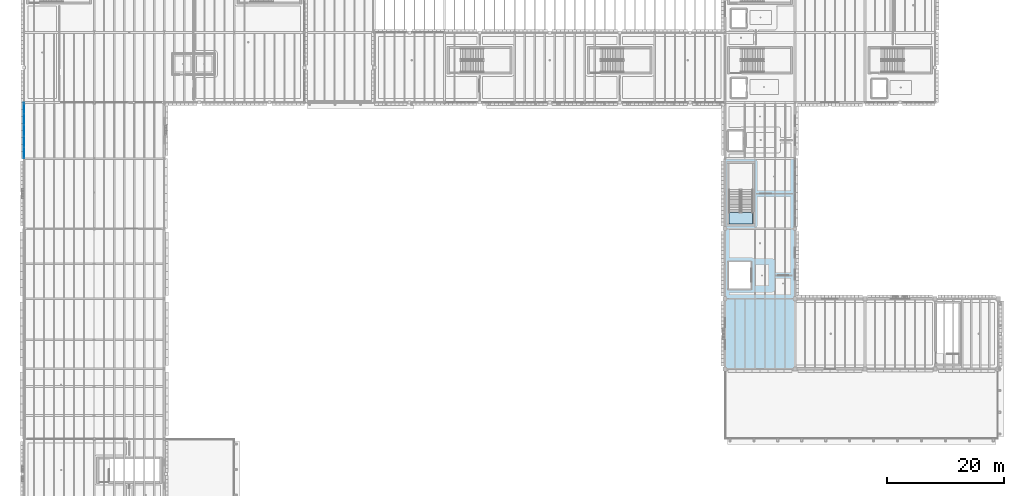
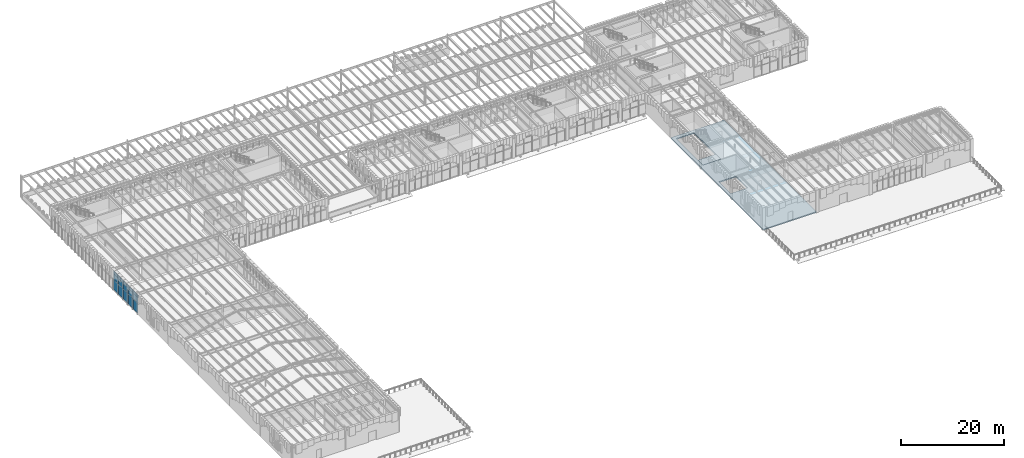
# One storey, part 45 of 100: 15 plates, 2 slabs, 1 element without a shape of its own.
"""IFC4 building model written with IfcOpenShell, lengths in metres."""

import ifcopenshell
import ifcopenshell.guid

model = None  # the IFC model being written
_history = None  # IfcOwnerHistory: only IFC2X3 demands one
_inside = {}  # id of a spatial element -> (the spatial element, [elements in it])
_under = {}  # id of a project, library or spatial element -> (it, [spatial elements below it])
_declared = {}  # id of a project -> (the project, [libraries it declares])
_typed = {}  # id of a type object -> (the type object, [elements of that type])
_made_of = {}  # id of a material, layer set ... -> (it, [elements and type objects made of it])


def new_model(schema):
    """Start an empty IFC model of exactly this schema.

    Asked for "IFC4X3", IfcOpenShell would pick the latest addendum, in which some entities
    have other attributes; the version numbers below select the first issue.
    IFC2X3 requires an IfcOwnerHistory on every rooted entity: one is made here for all.
    """
    global model, _history
    if schema == "IFC4X3":
        model = ifcopenshell.file(schema_version=(4, 3, 0, 0))
    else:
        model = ifcopenshell.file(schema=schema)
    _inside.clear()
    _under.clear()
    _declared.clear()
    _typed.clear()
    _made_of.clear()
    _history = None
    if model.schema == "IFC2X3":
        org = make("IfcOrganization", Name="unknown")
        user = make(
            "IfcPersonAndOrganization",
            ThePerson=make("IfcPerson", FamilyName="unknown"),
            TheOrganization=org,
        )
        app = make(
            "IfcApplication",
            ApplicationDeveloper=org,
            Version="unknown",
            ApplicationFullName="unknown",
            ApplicationIdentifier="unknown",
        )
        _history = make(
            "IfcOwnerHistory",
            OwningUser=user,
            OwningApplication=app,
            ChangeAction="ADDED",
            CreationDate=0,
        )
    return model


def make(cls, **values):
    """One entity of the class cls with the attributes given. An attribute that is None is left unset."""
    return model.create_entity(
        cls, **{name: value for name, value in values.items() if value is not None}
    )


def rooted(cls, **values):
    """An entity with a GlobalId (a new one), such as an element, a storey or a relation."""
    return make(cls, GlobalId=ifcopenshell.guid.new(), OwnerHistory=_history, **values)


def si_unit(unit_type, name, prefix=None):
    """IfcSIUnit, for example si_unit("LENGTHUNIT", "METRE", prefix="MILLI")."""
    return make("IfcSIUnit", UnitType=unit_type, Prefix=prefix, Name=name)


def assignment(units):
    """IfcUnitAssignment: the units of a project."""
    return None if units is None else make("IfcUnitAssignment", Units=units)


def point(xyz):
    """IfcCartesianPoint."""
    return None if xyz is None else make("IfcCartesianPoint", Coordinates=xyz)


def direction(xyz):
    """IfcDirection."""
    return None if xyz is None else make("IfcDirection", DirectionRatios=xyz)


def frame(location, z_axis=None, x_axis=None):
    """IfcAxis2Placement3D, a coordinate frame: its origin and axes. An axis left out is left unset."""
    return make(
        "IfcAxis2Placement3D",
        Location=point(location),
        Axis=direction(z_axis),
        RefDirection=direction(x_axis),
    )


def frame_2d(location, x_axis=None):
    """IfcAxis2Placement2D, a coordinate frame in the plane: its origin and x axis."""
    return make(
        "IfcAxis2Placement2D", Location=point(location), RefDirection=direction(x_axis)
    )


def origin():
    """The frame at (0, 0, 0) with its axes left unset."""
    return frame((0.0, 0.0, 0.0))


def origin_2d():
    """The frame at (0, 0) in the plane with its x axis left unset."""
    return frame_2d((0.0, 0.0))


def place(relative_to, where):
    """IfcLocalPlacement: puts the frame where relative to a parent placement (None: the world)."""
    return make(
        "IfcLocalPlacement", PlacementRelTo=relative_to, RelativePlacement=where
    )


def context(
    kind, dimensions, precision=None, world=None, true_north=None, identifier=None
):
    """IfcGeometricRepresentationContext, for example the 3D "Model" context."""
    return make(
        "IfcGeometricRepresentationContext",
        ContextIdentifier=identifier,
        ContextType=kind,
        CoordinateSpaceDimension=dimensions,
        Precision=precision,
        WorldCoordinateSystem=world,
        TrueNorth=true_north,
    )


def subcontext(parent, identifier, kind, view, scale=None):
    """IfcGeometricRepresentationSubContext, for example "Body" below "Model"."""
    return make(
        "IfcGeometricRepresentationSubContext",
        ContextIdentifier=identifier,
        ContextType=kind,
        ParentContext=parent,
        TargetScale=scale,
        TargetView=view,
    )


def project(units=None, contexts=None):
    """IfcProject with its units and contexts."""
    return rooted(
        "IfcProject",
        Name="project",
        RepresentationContexts=contexts,
        UnitsInContext=assignment(units),
    )


def spatial(cls, under=None, at=None, **own):
    """A site, building, storey or space (cls), placed at a placement, below another one or the project."""
    s = rooted(cls, ObjectPlacement=at, **own)
    if under is not None:
        _under.setdefault(under.id(), (under, []))[1].append(s)
    return s


def polyline(points):
    """IfcPolyline through the points."""
    return make("IfcPolyline", Points=[point(p) for p in points])


def profile(cls, at=None, kind="AREA", **sizes):
    """A parametric profile (cls). Its sizes go by their IFC names, for example OverallWidth=200.0."""
    return make(cls, ProfileType=kind, Position=at, **sizes)


def rectangle(**sizes):
    """IfcRectangleProfileDef."""
    return profile("IfcRectangleProfileDef", **sizes)


def outline(outer, holes=None, kind="AREA"):
    """IfcArbitraryClosedProfileDef: a profile drawn as a closed curve; with holes, ...WithVoids."""
    if holes is None:
        return make("IfcArbitraryClosedProfileDef", ProfileType=kind, OuterCurve=outer)
    return make(
        "IfcArbitraryProfileDefWithVoids",
        ProfileType=kind,
        OuterCurve=outer,
        InnerCurves=holes,
    )


def extrude(swept, where, along, depth):
    """IfcExtrudedAreaSolid: the profile swept, set in the frame where, extruded along a direction by depth."""
    return make(
        "IfcExtrudedAreaSolid",
        SweptArea=swept,
        Position=where,
        ExtrudedDirection=direction(along),
        Depth=depth,
    )


def shape(context_of_items, identifier, shape_type, items):
    """IfcShapeRepresentation: the items that make up one representation, for example the "Body"."""
    return make(
        "IfcShapeRepresentation",
        ContextOfItems=context_of_items,
        RepresentationIdentifier=identifier,
        RepresentationType=shape_type,
        Items=items,
    )


def material(Name=None, Category=None):
    """IfcMaterial."""
    return make("IfcMaterial", Name=Name, Category=Category)


def layer(
    of_material, thickness, ventilated=None, Name=None, Category=None, Priority=None
):
    """IfcMaterialLayer: one layer of a wall or slab, of a material (None: an air gap)."""
    return make(
        "IfcMaterialLayer",
        Material=of_material,
        LayerThickness=thickness,
        IsVentilated=ventilated,
        Name=Name,
        Category=Category,
        Priority=Priority,
    )


def layer_set(layers, Name=None):
    """IfcMaterialLayerSet."""
    return make("IfcMaterialLayerSet", MaterialLayers=layers, LayerSetName=Name)


def made_of(thing, what):
    """Note that an element or type object is made of a material, layer set ...; save() writes the relation."""
    if what is not None:
        _made_of.setdefault(what.id(), (what, []))[1].append(thing)
    return thing


def type_object(cls, material=None, **own):
    """A type object (cls), such as IfcWallType, which elements share."""
    return made_of(rooted(cls, **own), material)


def element(
    cls,
    number,
    at=None,
    inside=None,
    cuts=None,
    type_object=None,
    material=None,
    context=None,
    identifier="Body",
    shape_type=None,
    held_by="IfcProductDefinitionShape",
    body=None,
    shapes=None,
    **own,
):
    """One element of the class cls, such as IfcWall. Its Tag is "e" and its number.

    at: its placement. inside: the storey or other place that contains it. cuts: it is an
    opening in that element (IfcRelVoidsElement). A single representation is given by context,
    identifier, shape_type and body (its items); several are given by shapes. held_by: the class
    of the entity that holds the representations. save() writes the other relations.
    """
    e = rooted(cls, Tag="e%d" % number, ObjectPlacement=at, **own)
    if body is not None:
        shapes = [shape(context, identifier, shape_type, body)]
    if shapes is not None:
        e.Representation = make(held_by, Representations=shapes)
    if inside is not None:
        _inside.setdefault(inside.id(), (inside, []))[1].append(e)
    if cuts is not None:
        rooted(
            "IfcRelVoidsElement", RelatingBuildingElement=cuts, RelatedOpeningElement=e
        )
    if type_object is not None:
        _typed.setdefault(type_object.id(), (type_object, []))[1].append(e)
    return made_of(e, material)


def aggregate(whole, parts):
    """IfcRelAggregates: a whole, such as a stair, and the parts it consists of."""
    return rooted("IfcRelAggregates", RelatingObject=whole, RelatedObjects=parts)


def save(model, path):
    """Write the relations noted so far, then the file.

    IfcRelAggregates (storeys below a building ...), IfcRelContainedInSpatialStructure (elements
    in a storey), IfcRelDefinesByType, IfcRelAssociatesMaterial and IfcRelDeclares: one each for
    every whole, place, type object, material and project.
    """
    for whole, parts in _under.values():
        aggregate(whole, parts)
    for where, things in _inside.values():
        rooted(
            "IfcRelContainedInSpatialStructure",
            RelatedElements=things,
            RelatingStructure=where,
        )
    for kind, things in _typed.values():
        rooted("IfcRelDefinesByType", RelatedObjects=things, RelatingType=kind)
    for what, things in _made_of.values():
        rooted("IfcRelAssociatesMaterial", RelatedObjects=things, RelatingMaterial=what)
    for by, libraries in _declared.values():
        rooted("IfcRelDeclares", RelatingContext=by, RelatedDefinitions=libraries)
    model.write(path)


model = new_model("IFC4")

# Units and contexts
model_context = context("Model", 3, precision=1e-05, world=origin(), true_north=direction((0.0, 1.0)))
body_context = subcontext(model_context, "Body", "Model", "MODEL_VIEW")
ifc_project = project(units=[si_unit("LENGTHUNIT", "METRE"), si_unit("AREAUNIT", "SQUARE_METRE"), si_unit("VOLUMEUNIT", "CUBIC_METRE"), si_unit("PLANEANGLEUNIT", "RADIAN"), si_unit("MASSUNIT", "GRAM", prefix="KILO")], contexts=[model_context])

# Site, building, storey
site_placement = place(None, origin())
site = spatial("IfcSite", under=ifc_project, at=site_placement, CompositionType="ELEMENT")
building_placement = place(site_placement, origin())
building = spatial("IfcBuilding", under=site, at=building_placement, Name="Zlatogorsky Bluff Art Gallery", CompositionType="ELEMENT")
storey_placement = place(building_placement, frame((0.0, 0.0, 5.39990234375)))
storey = spatial("IfcBuildingStorey", under=building, at=storey_placement, Name="L01", CompositionType="ELEMENT", Elevation=5.39990234375)

# Curtain wall, plates
ifc_material_1 = material(Name="Anodised Bronze Aluminium and Low-Iron Triple Glazing", Category="aluminium")
ifc_layer_1 = layer(ifc_material_1, 0.219970703125)
ifc_layer_set_1 = layer_set([ifc_layer_1], Name="Curtain Wall CW-04")
curtain_wall_type = type_object("IfcCurtainWallType", Name="Curtain Wall CW-04", PredefinedType="USERDEFINED", material=ifc_layer_set_1)
curtain_wall_placement = place(storey_placement, origin())
curtain_wall = element("IfcCurtainWall", 1, at=curtain_wall_placement, inside=storey, type_object=curtain_wall_type, Name="Unitised curtain wall CW-04 L01 W 0.7", ObjectType="CURTAIN WALL", PredefinedType="USERDEFINED")
ifc_material_2 = material(Name="Low-Iron Laminated Triple Glazing", Category="glass")
ifc_layer_2 = layer(ifc_material_2, 0.035888671875)
ifc_layer_set_2 = layer_set([ifc_layer_2], Name="Glazed Curtain Panel CWP-01")
plate_type = type_object("IfcPlateType", Name="Glazed Curtain Panel CWP-01", PredefinedType="CURTAIN_PANEL", material=ifc_layer_set_2)
plate_1_placement = place(storey_placement, frame((0.0, 83.023681640625, 0.065185546875), z_axis=(0.0, 0.0, 1.0), x_axis=(0.0, -1.0, 0.0)))
plate_1 = element("IfcPlate", 2, at=plate_1_placement, type_object=plate_type, Name="CW-04 panel 1.1", PredefinedType="CURTAIN_PANEL", context=body_context, shape_type="SweptSolid", body=[
    extrude(rectangle(XDim=1.822509765625, YDim=0.035888671875, at=origin_2d()), origin(), (0.0, 0.0, 1.0), 2.3525390625),
])
plate_2_placement = place(storey_placement, frame((0.0, 83.023681640625, 2.482666015625), z_axis=(0.0, 0.0, 1.0), x_axis=(0.0, -1.0, 0.0)))
plate_2 = element("IfcPlate", 3, at=plate_2_placement, type_object=plate_type, Name="CW-04 panel 1.2", PredefinedType="CURTAIN_PANEL", context=body_context, shape_type="SweptSolid", body=[
    extrude(rectangle(XDim=1.822509765625, YDim=0.035888671875, at=origin_2d()), origin(), (0.0, 0.0, 1.0), 1.3349609375),
])
plate_3_placement = place(storey_placement, frame((0.0, 83.023681640625, 3.882568359375), z_axis=(0.0, 0.0, 1.0), x_axis=(0.0, -1.0, 0.0)))
plate_3 = element("IfcPlate", 4, at=plate_3_placement, type_object=plate_type, Name="CW-04 panel 1.3", PredefinedType="CURTAIN_PANEL", context=body_context, shape_type="SweptSolid", body=[
    extrude(rectangle(XDim=1.822509765625, YDim=0.035888671875, at=origin_2d()), origin(), (0.0, 0.0, 1.0), 0.58251953125),
])
plate_4_placement = place(storey_placement, frame((0.0, 81.1201171875, 0.065185546875), z_axis=(0.0, 0.0, 1.0), x_axis=(0.0, -1.0, 0.0)))
plate_4 = element("IfcPlate", 5, at=plate_4_placement, type_object=plate_type, Name="CW-04 panel 2.1", PredefinedType="CURTAIN_PANEL", context=body_context, shape_type="SweptSolid", body=[
    extrude(rectangle(XDim=1.85498046875, YDim=0.035888671875, at=origin_2d()), origin(), (0.0, 0.0, 1.0), 2.3525390625),
])
plate_5_placement = place(storey_placement, frame((0.0, 81.1201171875, 2.482666015625), z_axis=(0.0, 0.0, 1.0), x_axis=(0.0, -1.0, 0.0)))
plate_5 = element("IfcPlate", 6, at=plate_5_placement, type_object=plate_type, Name="CW-04 panel 2.2", PredefinedType="CURTAIN_PANEL", context=body_context, shape_type="SweptSolid", body=[
    extrude(rectangle(XDim=1.85498046875, YDim=0.035888671875, at=origin_2d()), origin(), (0.0, 0.0, 1.0), 1.3349609375),
])
plate_6_placement = place(storey_placement, frame((0.0, 81.1201171875, 3.882568359375), z_axis=(0.0, 0.0, 1.0), x_axis=(0.0, -1.0, 0.0)))
plate_6 = element("IfcPlate", 7, at=plate_6_placement, type_object=plate_type, Name="CW-04 panel 2.3", PredefinedType="CURTAIN_PANEL", context=body_context, shape_type="SweptSolid", body=[
    extrude(rectangle(XDim=1.85498046875, YDim=0.035888671875, at=origin_2d()), origin(), (0.0, 0.0, 1.0), 0.58251953125),
])
plate_7_placement = place(storey_placement, frame((0.0, 79.199951171875, 0.065185546875), z_axis=(0.0, 0.0, 1.0), x_axis=(0.0, -1.0, 0.0)))
plate_7 = element("IfcPlate", 8, at=plate_7_placement, type_object=plate_type, Name="CW-04 panel 3.1", PredefinedType="CURTAIN_PANEL", context=body_context, shape_type="SweptSolid", body=[
    extrude(rectangle(XDim=1.85498046875, YDim=0.035888671875, at=origin_2d()), origin(), (0.0, 0.0, 1.0), 2.3525390625),
])
plate_8_placement = place(storey_placement, frame((0.0, 79.199951171875, 2.482666015625), z_axis=(0.0, 0.0, 1.0), x_axis=(0.0, -1.0, 0.0)))
plate_8 = element("IfcPlate", 9, at=plate_8_placement, type_object=plate_type, Name="CW-04 panel 3.2", PredefinedType="CURTAIN_PANEL", context=body_context, shape_type="SweptSolid", body=[
    extrude(rectangle(XDim=1.85498046875, YDim=0.035888671875, at=origin_2d()), origin(), (0.0, 0.0, 1.0), 1.3349609375),
])
plate_9_placement = place(storey_placement, frame((0.0, 79.199951171875, 3.882568359375), z_axis=(0.0, 0.0, 1.0), x_axis=(0.0, -1.0, 0.0)))
plate_9 = element("IfcPlate", 10, at=plate_9_placement, type_object=plate_type, Name="CW-04 panel 3.3", PredefinedType="CURTAIN_PANEL", context=body_context, shape_type="SweptSolid", body=[
    extrude(rectangle(XDim=1.85498046875, YDim=0.035888671875, at=origin_2d()), origin(), (0.0, 0.0, 1.0), 0.58251953125),
])
plate_10_placement = place(storey_placement, frame((0.0, 77.280029296875, 0.065185546875), z_axis=(0.0, 0.0, 1.0), x_axis=(0.0, -1.0, 0.0)))
plate_10 = element("IfcPlate", 11, at=plate_10_placement, type_object=plate_type, Name="CW-04 panel 4.1", PredefinedType="CURTAIN_PANEL", context=body_context, shape_type="SweptSolid", body=[
    extrude(rectangle(XDim=1.85498046875, YDim=0.035888671875, at=origin_2d()), origin(), (0.0, 0.0, 1.0), 2.3525390625),
])
plate_11_placement = place(storey_placement, frame((0.0, 77.280029296875, 2.482666015625), z_axis=(0.0, 0.0, 1.0), x_axis=(0.0, -1.0, 0.0)))
plate_11 = element("IfcPlate", 12, at=plate_11_placement, type_object=plate_type, Name="CW-04 panel 4.2", PredefinedType="CURTAIN_PANEL", context=body_context, shape_type="SweptSolid", body=[
    extrude(rectangle(XDim=1.85498046875, YDim=0.035888671875, at=origin_2d()), origin(), (0.0, 0.0, 1.0), 1.3349609375),
])
plate_12_placement = place(storey_placement, frame((0.0, 77.280029296875, 3.882568359375), z_axis=(0.0, 0.0, 1.0), x_axis=(0.0, -1.0, 0.0)))
plate_12 = element("IfcPlate", 13, at=plate_12_placement, type_object=plate_type, Name="CW-04 panel 4.3", PredefinedType="CURTAIN_PANEL", context=body_context, shape_type="SweptSolid", body=[
    extrude(rectangle(XDim=1.85498046875, YDim=0.035888671875, at=origin_2d()), origin(), (0.0, 0.0, 1.0), 0.58251953125),
])
plate_13_placement = place(storey_placement, frame((0.0, 75.376220703125, 0.065185546875), z_axis=(0.0, 0.0, 1.0), x_axis=(0.0, -1.0, 0.0)))
plate_13 = element("IfcPlate", 14, at=plate_13_placement, type_object=plate_type, Name="CW-04 panel 5.1", PredefinedType="CURTAIN_PANEL", context=body_context, shape_type="SweptSolid", body=[
    extrude(rectangle(XDim=1.822509765625, YDim=0.035888671875, at=origin_2d()), origin(), (0.0, 0.0, 1.0), 2.3525390625),
])
plate_14_placement = place(storey_placement, frame((0.0, 75.376220703125, 2.482666015625), z_axis=(0.0, 0.0, 1.0), x_axis=(0.0, -1.0, 0.0)))
plate_14 = element("IfcPlate", 15, at=plate_14_placement, type_object=plate_type, Name="CW-04 panel 5.2", PredefinedType="CURTAIN_PANEL", context=body_context, shape_type="SweptSolid", body=[
    extrude(rectangle(XDim=1.822509765625, YDim=0.035888671875, at=origin_2d()), origin(), (0.0, 0.0, 1.0), 1.3349609375),
])
plate_15_placement = place(storey_placement, frame((0.0, 75.376220703125, 3.882568359375), z_axis=(0.0, 0.0, 1.0), x_axis=(0.0, -1.0, 0.0)))
plate_15 = element("IfcPlate", 16, at=plate_15_placement, type_object=plate_type, Name="CW-04 panel 5.3", PredefinedType="CURTAIN_PANEL", context=body_context, shape_type="SweptSolid", body=[
    extrude(rectangle(XDim=1.822509765625, YDim=0.035888671875, at=origin_2d()), origin(), (0.0, 0.0, 1.0), 0.58251953125),
])
aggregate(curtain_wall, [plate_1, plate_2, plate_3, plate_4, plate_5, plate_6, plate_7, plate_8, plate_9, plate_10, plate_11, plate_12, plate_13, plate_14, plate_15])

# Slabs
ifc_material_3 = material(Name="Concrete C30/37", Category="concrete")
ifc_layer_3 = layer(ifc_material_3, 0.260009765625)
ifc_layer_set_3 = layer_set([ifc_layer_3], Name="Slab SL-01 260mm")
slab_type = type_object("IfcSlabType", Name="Slab SL-01 260mm", PredefinedType="FLOOR", material=ifc_layer_set_3)
slab_1_placement = place(storey_placement, frame((0.0, 0.0, -0.260009765625)))
element("IfcSlab", 17, at=slab_1_placement, inside=storey, type_object=slab_type, Name="L01 structural floor slab panel 10", PredefinedType="FLOOR", context=body_context, shape_type="SweptSolid", body=[
    extrude(outline(polyline([(120.0, 38.39990234375), (120.0, 50.39990234375), (120.0, 62.39990234375), (120.0, 74.39990234375), (132.0, 74.39990234375), (132.0, 62.39990234375), (132.0, 50.39990234375), (132.0, 38.39990234375), (120.0, 38.39990234375)]), holes=[polyline([(124.419921875, 56.699951171875), (120.6201171875, 56.699951171875), (120.6201171875, 52.10009765625), (124.419921875, 52.10009765625), (124.419921875, 56.699951171875)]), polyline([(124.75, 73.60009765625), (120.699951171875, 73.60009765625), (120.699951171875, 63.199951171875), (124.75, 63.199951171875), (124.75, 73.60009765625)])]), origin(), (0.0, 0.0, 1.0), 0.260009765625),
])
slab_2_placement = place(storey_placement, frame((0.0, 0.0, -0.260009765625)))
element("IfcSlab", 18, at=slab_2_placement, inside=storey, type_object=slab_type, Name="L01 stair ST-06 structural floor landing slab", PredefinedType="FLOOR", context=body_context, shape_type="SweptSolid", body=[
    extrude(outline(polyline([(124.75, 63.199951171875), (124.75, 65.14990234375), (120.699951171875, 65.14990234375), (120.699951171875, 63.199951171875), (124.75, 63.199951171875)])), origin(), (0.0, 0.0, 1.0), 0.260009765625),
])

save(model, "model.ifc")
